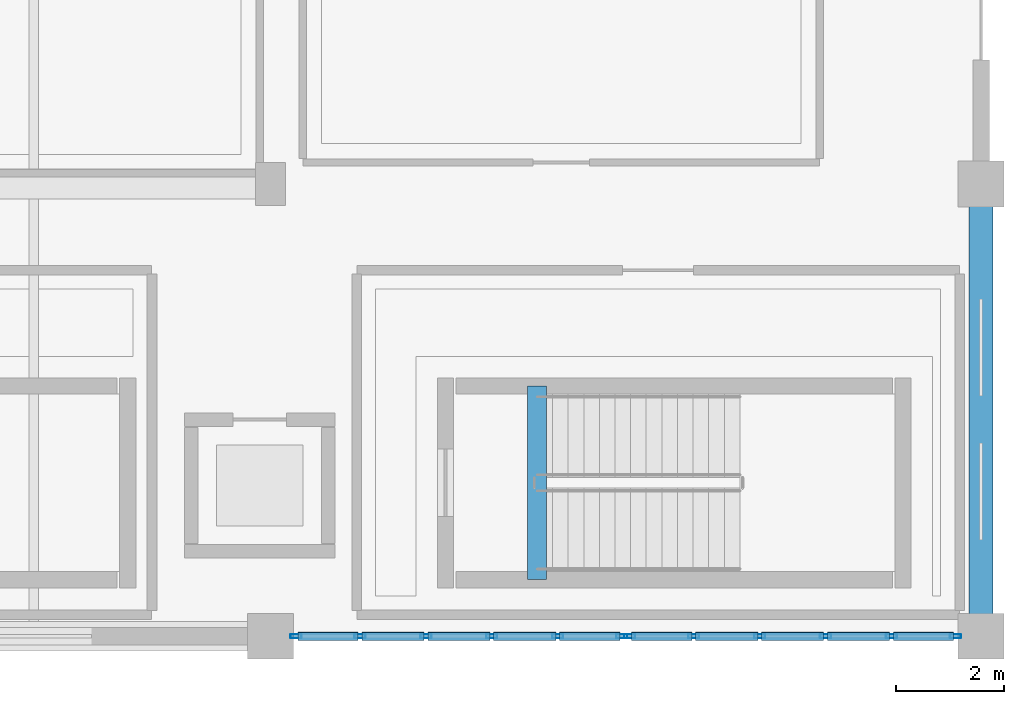
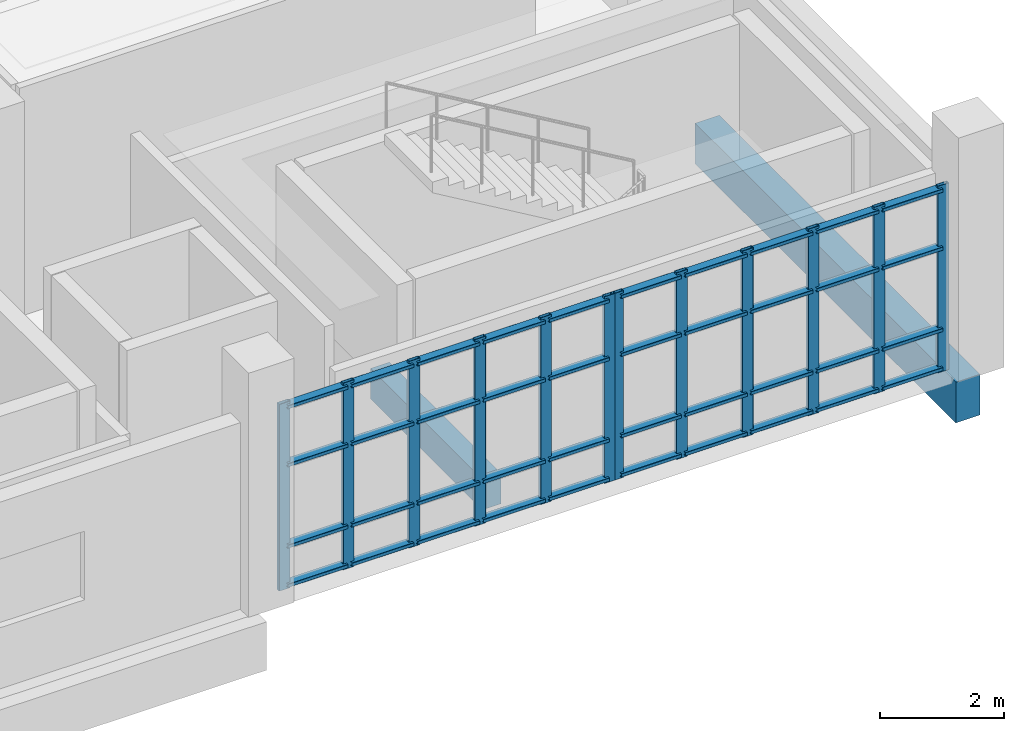
# One storey, part 40 of 97: 52 members, 2 beams, 2 elements without a shape of their own.
"""IFC4 building model written with IfcOpenShell, lengths in metres."""

from ifc_helpers import new_model, si_unit, direction, frame, origin, origin_2d, place, context, subcontext, project, spatial, rectangle, hollow_rectangle, extrude, material, layer, layer_set, material_profile, profile_set, type_object, element, aggregate, save


model = new_model("IFC4")

# Units and contexts
model_context = context("Model", 3, precision=1e-05, world=origin(), true_north=direction((0.0, 1.0)))
body_context = subcontext(model_context, "Body", "Model", "MODEL_VIEW")
ifc_project = project(units=[si_unit("LENGTHUNIT", "METRE"), si_unit("AREAUNIT", "SQUARE_METRE"), si_unit("VOLUMEUNIT", "CUBIC_METRE"), si_unit("PLANEANGLEUNIT", "RADIAN"), si_unit("MASSUNIT", "GRAM", prefix="KILO")], contexts=[model_context])

# Site, building, storey
site_placement = place(None, origin())
site = spatial("IfcSite", under=ifc_project, at=site_placement, CompositionType="ELEMENT")
building_placement = place(site_placement, origin())
building = spatial("IfcBuilding", under=site, at=building_placement, Name="Kisaragi Civic Commons", CompositionType="ELEMENT")
storey_placement = place(building_placement, origin())
storey = spatial("IfcBuildingStorey", under=building, at=storey_placement, Name="L00", CompositionType="ELEMENT", Elevation=0.0)

# Curtain wall, members
ifc_material_1 = material(Name="Thermally broken anodized aluminium and low-E double glazing", Category="aluminium")
ifc_layer = layer(ifc_material_1, 0.2099609375, Name="Thermally broken anodized aluminium and low-E double glazing", Category="aluminium")
ifc_layer_set = layer_set([ifc_layer], Name="Thermally broken anodized aluminium and low-E double glazing")
curtain_wall_type = type_object("IfcCurtainWallType", Name="CW-02", PredefinedType="NOTDEFINED", material=ifc_layer_set)
curtain_wall_1_placement = place(storey_placement, origin())
curtain_wall_1 = element("IfcCurtainWall", 1, at=curtain_wall_1_placement, inside=storey, type_object=curtain_wall_type, Name="L00 curtain wall CW-02 CW-V3-L00-011", PredefinedType="NOTDEFINED")
ifc_material_profile_1 = material_profile(ifc_material_1, hollow_rectangle(XDim=0.070068359375, YDim=0.2099609375, WallThickness=0.0048828125, InnerFilletRadius=0.0048828125, OuterFilletRadius=0.010009765625, at=origin_2d()), Name="CWM-70x210x5", Category="aluminium")
ifc_profile_set_1 = profile_set([ifc_material_profile_1], Name="Thermally broken anodized aluminium and low-E double glazing")
member_type_1 = type_object("IfcMemberType", Name="CWM-03", PredefinedType="MULLION", material=ifc_profile_set_1)
member_1_placement = place(storey_placement, frame((172.324951171875, 0.0, 0.0), z_axis=(0.0, 0.0, 1.0), x_axis=(0.0, -1.0, 0.0)))
member_1 = element("IfcMember", 2, at=member_1_placement, type_object=member_type_1, Name="CW-02 mullion 1", PredefinedType="MULLION", context=body_context, shape_type="SweptSolid", body=[
    extrude(hollow_rectangle(XDim=0.070068359375, YDim=0.2099609375, WallThickness=0.0048828125, InnerFilletRadius=0.0048828125, OuterFilletRadius=0.010009765625, at=origin_2d()), origin(), (0.0, 0.0, 1.0), 3.669921875),
])
member_2_placement = place(storey_placement, frame((171.135986328125, 0.0, 0.0), z_axis=(0.0, 0.0, 1.0), x_axis=(0.0, -1.0, 0.0)))
member_2 = element("IfcMember", 3, at=member_2_placement, type_object=member_type_1, Name="CW-02 mullion 2", PredefinedType="MULLION", context=body_context, shape_type="SweptSolid", body=[
    extrude(hollow_rectangle(XDim=0.070068359375, YDim=0.2099609375, WallThickness=0.0048828125, InnerFilletRadius=0.0048828125, OuterFilletRadius=0.010009765625, at=origin_2d()), origin(), (0.0, 0.0, 1.0), 3.669921875),
])
member_3_placement = place(storey_placement, frame((169.912109375, 0.0, 0.0), z_axis=(0.0, 0.0, 1.0), x_axis=(0.0, -1.0, 0.0)))
member_3 = element("IfcMember", 4, at=member_3_placement, type_object=member_type_1, Name="CW-02 mullion 3", PredefinedType="MULLION", context=body_context, shape_type="SweptSolid", body=[
    extrude(hollow_rectangle(XDim=0.070068359375, YDim=0.2099609375, WallThickness=0.0048828125, InnerFilletRadius=0.0048828125, OuterFilletRadius=0.010009765625, at=origin_2d()), origin(), (0.0, 0.0, 1.0), 3.669921875),
])
member_4_placement = place(storey_placement, frame((168.68798828125, 0.0, 0.0), z_axis=(0.0, 0.0, 1.0), x_axis=(0.0, -1.0, 0.0)))
member_4 = element("IfcMember", 5, at=member_4_placement, type_object=member_type_1, Name="CW-02 mullion 4", PredefinedType="MULLION", context=body_context, shape_type="SweptSolid", body=[
    extrude(hollow_rectangle(XDim=0.070068359375, YDim=0.2099609375, WallThickness=0.0048828125, InnerFilletRadius=0.0048828125, OuterFilletRadius=0.010009765625, at=origin_2d()), origin(), (0.0, 0.0, 1.0), 3.669921875),
])
member_5_placement = place(storey_placement, frame((167.464111328125, 0.0, 0.0), z_axis=(0.0, 0.0, 1.0), x_axis=(0.0, -1.0, 0.0)))
member_5 = element("IfcMember", 6, at=member_5_placement, type_object=member_type_1, Name="CW-02 mullion 5", PredefinedType="MULLION", context=body_context, shape_type="SweptSolid", body=[
    extrude(hollow_rectangle(XDim=0.070068359375, YDim=0.2099609375, WallThickness=0.0048828125, InnerFilletRadius=0.0048828125, OuterFilletRadius=0.010009765625, at=origin_2d()), origin(), (0.0, 0.0, 1.0), 3.669921875),
])
member_6_placement = place(storey_placement, frame((166.27490234375, 0.0, 0.0), z_axis=(0.0, 0.0, 1.0), x_axis=(0.0, -1.0, 0.0)))
member_6 = element("IfcMember", 7, at=member_6_placement, type_object=member_type_1, Name="CW-02 mullion 6", PredefinedType="MULLION", context=body_context, shape_type="SweptSolid", body=[
    extrude(hollow_rectangle(XDim=0.070068359375, YDim=0.2099609375, WallThickness=0.0048828125, InnerFilletRadius=0.0048828125, OuterFilletRadius=0.010009765625, at=origin_2d()), origin(), (0.0, 0.0, 1.0), 3.669921875),
])

curtain_wall_2_placement = place(storey_placement, origin())
curtain_wall_2 = element("IfcCurtainWall", 8, at=curtain_wall_2_placement, inside=storey, type_object=curtain_wall_type, Name="L00 curtain wall CW-02 CW-V3-L00-012", PredefinedType="NOTDEFINED")
member_7_placement = place(storey_placement, frame((166.125, 0.0, 0.0), z_axis=(0.0, 0.0, 1.0), x_axis=(0.0, -1.0, 0.0)))
member_7 = element("IfcMember", 9, at=member_7_placement, type_object=member_type_1, Name="CW-02 mullion 1", PredefinedType="MULLION", context=body_context, shape_type="SweptSolid", body=[
    extrude(hollow_rectangle(XDim=0.070068359375, YDim=0.2099609375, WallThickness=0.0048828125, InnerFilletRadius=0.0048828125, OuterFilletRadius=0.010009765625, at=origin_2d()), origin(), (0.0, 0.0, 1.0), 3.669921875),
])
member_8_placement = place(storey_placement, frame((164.93603515625, 0.0, 0.0), z_axis=(0.0, 0.0, 1.0), x_axis=(0.0, -1.0, 0.0)))
member_8 = element("IfcMember", 10, at=member_8_placement, type_object=member_type_1, Name="CW-02 mullion 2", PredefinedType="MULLION", context=body_context, shape_type="SweptSolid", body=[
    extrude(hollow_rectangle(XDim=0.070068359375, YDim=0.2099609375, WallThickness=0.0048828125, InnerFilletRadius=0.0048828125, OuterFilletRadius=0.010009765625, at=origin_2d()), origin(), (0.0, 0.0, 1.0), 3.669921875),
])
member_9_placement = place(storey_placement, frame((163.7119140625, 0.0, 0.0), z_axis=(0.0, 0.0, 1.0), x_axis=(0.0, -1.0, 0.0)))
member_9 = element("IfcMember", 11, at=member_9_placement, type_object=member_type_1, Name="CW-02 mullion 3", PredefinedType="MULLION", context=body_context, shape_type="SweptSolid", body=[
    extrude(hollow_rectangle(XDim=0.070068359375, YDim=0.2099609375, WallThickness=0.0048828125, InnerFilletRadius=0.0048828125, OuterFilletRadius=0.010009765625, at=origin_2d()), origin(), (0.0, 0.0, 1.0), 3.669921875),
])
member_10_placement = place(storey_placement, frame((162.488037109375, 0.0, 0.0), z_axis=(0.0, 0.0, 1.0), x_axis=(0.0, -1.0, 0.0)))
member_10 = element("IfcMember", 12, at=member_10_placement, type_object=member_type_1, Name="CW-02 mullion 4", PredefinedType="MULLION", context=body_context, shape_type="SweptSolid", body=[
    extrude(hollow_rectangle(XDim=0.070068359375, YDim=0.2099609375, WallThickness=0.0048828125, InnerFilletRadius=0.0048828125, OuterFilletRadius=0.010009765625, at=origin_2d()), origin(), (0.0, 0.0, 1.0), 3.669921875),
])
member_11_placement = place(storey_placement, frame((161.263916015625, 0.0, 0.0), z_axis=(0.0, 0.0, 1.0), x_axis=(0.0, -1.0, 0.0)))
member_11 = element("IfcMember", 13, at=member_11_placement, type_object=member_type_1, Name="CW-02 mullion 5", PredefinedType="MULLION", context=body_context, shape_type="SweptSolid", body=[
    extrude(hollow_rectangle(XDim=0.070068359375, YDim=0.2099609375, WallThickness=0.0048828125, InnerFilletRadius=0.0048828125, OuterFilletRadius=0.010009765625, at=origin_2d()), origin(), (0.0, 0.0, 1.0), 3.669921875),
])
member_12_placement = place(storey_placement, frame((160.074951171875, 0.0, 0.0), z_axis=(0.0, 0.0, 1.0), x_axis=(0.0, -1.0, 0.0)))
member_12 = element("IfcMember", 14, at=member_12_placement, type_object=member_type_1, Name="CW-02 mullion 6", PredefinedType="MULLION", context=body_context, shape_type="SweptSolid", body=[
    extrude(hollow_rectangle(XDim=0.070068359375, YDim=0.2099609375, WallThickness=0.0048828125, InnerFilletRadius=0.0048828125, OuterFilletRadius=0.010009765625, at=origin_2d()), origin(), (0.0, 0.0, 1.0), 3.669921875),
])

# Member
ifc_material_profile_2 = material_profile(ifc_material_1, hollow_rectangle(XDim=0.159912109375, YDim=0.070068359375, WallThickness=0.0048828125, InnerFilletRadius=0.0048828125, OuterFilletRadius=0.010009765625, at=origin_2d()), Name="CWT-70x160x5", Category="aluminium")
ifc_profile_set_2 = profile_set([ifc_material_profile_2], Name="Thermally broken anodized aluminium and low-E double glazing")
member_type_2 = type_object("IfcMemberType", Name="CWT-03", PredefinedType="USERDEFINED", material=ifc_profile_set_2)
member_13_placement = place(storey_placement, frame((172.2900390625, 0.0, 0.080078125), z_axis=(-1.0, 0.0, 0.0), x_axis=(0.0, -1.0, 0.0)))
member_13 = element("IfcMember", 15, at=member_13_placement, type_object=member_type_2, Name="CW-02 transom 1.1", ObjectType="TRANSOM", PredefinedType="USERDEFINED", context=body_context, shape_type="SweptSolid", body=[
    extrude(hollow_rectangle(XDim=0.159912109375, YDim=0.070068359375, WallThickness=0.0048828125, InnerFilletRadius=0.0048828125, OuterFilletRadius=0.010009765625, at=origin_2d()), origin(), (0.0, 0.0, 1.0), 1.119140625),
])

member_14_placement = place(storey_placement, frame((172.2900390625, 0.0, 0.85009765625), z_axis=(-1.0, 0.0, 0.0), x_axis=(0.0, -1.0, 0.0)))
member_14 = element("IfcMember", 16, at=member_14_placement, type_object=member_type_2, Name="CW-02 transom 1.2", ObjectType="TRANSOM", PredefinedType="USERDEFINED", context=body_context, shape_type="SweptSolid", body=[
    extrude(hollow_rectangle(XDim=0.159912109375, YDim=0.070068359375, WallThickness=0.0048828125, InnerFilletRadius=0.0048828125, OuterFilletRadius=0.010009765625, at=origin_2d()), origin(), (0.0, 0.0, 1.0), 1.119140625),
])

member_15_placement = place(storey_placement, frame((172.2900390625, 0.0, 2.449951171875), z_axis=(-1.0, 0.0, 0.0), x_axis=(0.0, -1.0, 0.0)))
member_15 = element("IfcMember", 17, at=member_15_placement, type_object=member_type_2, Name="CW-02 transom 1.3", ObjectType="TRANSOM", PredefinedType="USERDEFINED", context=body_context, shape_type="SweptSolid", body=[
    extrude(hollow_rectangle(XDim=0.159912109375, YDim=0.070068359375, WallThickness=0.0048828125, InnerFilletRadius=0.0048828125, OuterFilletRadius=0.010009765625, at=origin_2d()), origin(), (0.0, 0.0, 1.0), 1.119140625),
])

member_16_placement = place(storey_placement, frame((172.2900390625, 0.0, 3.590087890625), z_axis=(-1.0, 0.0, 0.0), x_axis=(0.0, -1.0, 0.0)))
member_16 = element("IfcMember", 18, at=member_16_placement, type_object=member_type_2, Name="CW-02 transom 1.4", ObjectType="TRANSOM", PredefinedType="USERDEFINED", context=body_context, shape_type="SweptSolid", body=[
    extrude(hollow_rectangle(XDim=0.159912109375, YDim=0.070068359375, WallThickness=0.0048828125, InnerFilletRadius=0.0048828125, OuterFilletRadius=0.010009765625, at=origin_2d()), origin(), (0.0, 0.0, 1.0), 1.119140625),
])

member_17_placement = place(storey_placement, frame((171.10107421875, 0.0, 0.080078125), z_axis=(-1.0, 0.0, 0.0), x_axis=(0.0, -1.0, 0.0)))
member_17 = element("IfcMember", 19, at=member_17_placement, type_object=member_type_2, Name="CW-02 transom 2.1", ObjectType="TRANSOM", PredefinedType="USERDEFINED", context=body_context, shape_type="SweptSolid", body=[
    extrude(hollow_rectangle(XDim=0.159912109375, YDim=0.070068359375, WallThickness=0.0048828125, InnerFilletRadius=0.0048828125, OuterFilletRadius=0.010009765625, at=origin_2d()), origin(), (0.0, 0.0, 1.0), 1.154052734375),
])

member_18_placement = place(storey_placement, frame((171.10107421875, 0.0, 0.85009765625), z_axis=(-1.0, 0.0, 0.0), x_axis=(0.0, -1.0, 0.0)))
member_18 = element("IfcMember", 20, at=member_18_placement, type_object=member_type_2, Name="CW-02 transom 2.2", ObjectType="TRANSOM", PredefinedType="USERDEFINED", context=body_context, shape_type="SweptSolid", body=[
    extrude(hollow_rectangle(XDim=0.159912109375, YDim=0.070068359375, WallThickness=0.0048828125, InnerFilletRadius=0.0048828125, OuterFilletRadius=0.010009765625, at=origin_2d()), origin(), (0.0, 0.0, 1.0), 1.154052734375),
])

member_19_placement = place(storey_placement, frame((171.10107421875, 0.0, 2.449951171875), z_axis=(-1.0, 0.0, 0.0), x_axis=(0.0, -1.0, 0.0)))
member_19 = element("IfcMember", 21, at=member_19_placement, type_object=member_type_2, Name="CW-02 transom 2.3", ObjectType="TRANSOM", PredefinedType="USERDEFINED", context=body_context, shape_type="SweptSolid", body=[
    extrude(hollow_rectangle(XDim=0.159912109375, YDim=0.070068359375, WallThickness=0.0048828125, InnerFilletRadius=0.0048828125, OuterFilletRadius=0.010009765625, at=origin_2d()), origin(), (0.0, 0.0, 1.0), 1.154052734375),
])

member_20_placement = place(storey_placement, frame((171.10107421875, 0.0, 3.590087890625), z_axis=(-1.0, 0.0, 0.0), x_axis=(0.0, -1.0, 0.0)))
member_20 = element("IfcMember", 22, at=member_20_placement, type_object=member_type_2, Name="CW-02 transom 2.4", ObjectType="TRANSOM", PredefinedType="USERDEFINED", context=body_context, shape_type="SweptSolid", body=[
    extrude(hollow_rectangle(XDim=0.159912109375, YDim=0.070068359375, WallThickness=0.0048828125, InnerFilletRadius=0.0048828125, OuterFilletRadius=0.010009765625, at=origin_2d()), origin(), (0.0, 0.0, 1.0), 1.154052734375),
])

member_21_placement = place(storey_placement, frame((169.876953125, 0.0, 0.080078125), z_axis=(-1.0, 0.0, 0.0), x_axis=(0.0, -1.0, 0.0)))
member_21 = element("IfcMember", 23, at=member_21_placement, type_object=member_type_2, Name="CW-02 transom 3.1", ObjectType="TRANSOM", PredefinedType="USERDEFINED", context=body_context, shape_type="SweptSolid", body=[
    extrude(hollow_rectangle(XDim=0.159912109375, YDim=0.070068359375, WallThickness=0.0048828125, InnerFilletRadius=0.0048828125, OuterFilletRadius=0.010009765625, at=origin_2d()), origin(), (0.0, 0.0, 1.0), 1.154052734375),
])

member_22_placement = place(storey_placement, frame((169.876953125, 0.0, 0.85009765625), z_axis=(-1.0, 0.0, 0.0), x_axis=(0.0, -1.0, 0.0)))
member_22 = element("IfcMember", 24, at=member_22_placement, type_object=member_type_2, Name="CW-02 transom 3.2", ObjectType="TRANSOM", PredefinedType="USERDEFINED", context=body_context, shape_type="SweptSolid", body=[
    extrude(hollow_rectangle(XDim=0.159912109375, YDim=0.070068359375, WallThickness=0.0048828125, InnerFilletRadius=0.0048828125, OuterFilletRadius=0.010009765625, at=origin_2d()), origin(), (0.0, 0.0, 1.0), 1.154052734375),
])

member_23_placement = place(storey_placement, frame((169.876953125, 0.0, 2.449951171875), z_axis=(-1.0, 0.0, 0.0), x_axis=(0.0, -1.0, 0.0)))
member_23 = element("IfcMember", 25, at=member_23_placement, type_object=member_type_2, Name="CW-02 transom 3.3", ObjectType="TRANSOM", PredefinedType="USERDEFINED", context=body_context, shape_type="SweptSolid", body=[
    extrude(hollow_rectangle(XDim=0.159912109375, YDim=0.070068359375, WallThickness=0.0048828125, InnerFilletRadius=0.0048828125, OuterFilletRadius=0.010009765625, at=origin_2d()), origin(), (0.0, 0.0, 1.0), 1.154052734375),
])

member_24_placement = place(storey_placement, frame((169.876953125, 0.0, 3.590087890625), z_axis=(-1.0, 0.0, 0.0), x_axis=(0.0, -1.0, 0.0)))
member_24 = element("IfcMember", 26, at=member_24_placement, type_object=member_type_2, Name="CW-02 transom 3.4", ObjectType="TRANSOM", PredefinedType="USERDEFINED", context=body_context, shape_type="SweptSolid", body=[
    extrude(hollow_rectangle(XDim=0.159912109375, YDim=0.070068359375, WallThickness=0.0048828125, InnerFilletRadius=0.0048828125, OuterFilletRadius=0.010009765625, at=origin_2d()), origin(), (0.0, 0.0, 1.0), 1.154052734375),
])

member_25_placement = place(storey_placement, frame((168.653076171875, 0.0, 0.080078125), z_axis=(-1.0, 0.0, 0.0), x_axis=(0.0, -1.0, 0.0)))
member_25 = element("IfcMember", 27, at=member_25_placement, type_object=member_type_2, Name="CW-02 transom 4.1", ObjectType="TRANSOM", PredefinedType="USERDEFINED", context=body_context, shape_type="SweptSolid", body=[
    extrude(hollow_rectangle(XDim=0.159912109375, YDim=0.070068359375, WallThickness=0.0048828125, InnerFilletRadius=0.0048828125, OuterFilletRadius=0.010009765625, at=origin_2d()), origin(), (0.0, 0.0, 1.0), 1.154052734375),
])

member_26_placement = place(storey_placement, frame((168.653076171875, 0.0, 0.85009765625), z_axis=(-1.0, 0.0, 0.0), x_axis=(0.0, -1.0, 0.0)))
member_26 = element("IfcMember", 28, at=member_26_placement, type_object=member_type_2, Name="CW-02 transom 4.2", ObjectType="TRANSOM", PredefinedType="USERDEFINED", context=body_context, shape_type="SweptSolid", body=[
    extrude(hollow_rectangle(XDim=0.159912109375, YDim=0.070068359375, WallThickness=0.0048828125, InnerFilletRadius=0.0048828125, OuterFilletRadius=0.010009765625, at=origin_2d()), origin(), (0.0, 0.0, 1.0), 1.154052734375),
])

member_27_placement = place(storey_placement, frame((168.653076171875, 0.0, 2.449951171875), z_axis=(-1.0, 0.0, 0.0), x_axis=(0.0, -1.0, 0.0)))
member_27 = element("IfcMember", 29, at=member_27_placement, type_object=member_type_2, Name="CW-02 transom 4.3", ObjectType="TRANSOM", PredefinedType="USERDEFINED", context=body_context, shape_type="SweptSolid", body=[
    extrude(hollow_rectangle(XDim=0.159912109375, YDim=0.070068359375, WallThickness=0.0048828125, InnerFilletRadius=0.0048828125, OuterFilletRadius=0.010009765625, at=origin_2d()), origin(), (0.0, 0.0, 1.0), 1.154052734375),
])

member_28_placement = place(storey_placement, frame((168.653076171875, 0.0, 3.590087890625), z_axis=(-1.0, 0.0, 0.0), x_axis=(0.0, -1.0, 0.0)))
member_28 = element("IfcMember", 30, at=member_28_placement, type_object=member_type_2, Name="CW-02 transom 4.4", ObjectType="TRANSOM", PredefinedType="USERDEFINED", context=body_context, shape_type="SweptSolid", body=[
    extrude(hollow_rectangle(XDim=0.159912109375, YDim=0.070068359375, WallThickness=0.0048828125, InnerFilletRadius=0.0048828125, OuterFilletRadius=0.010009765625, at=origin_2d()), origin(), (0.0, 0.0, 1.0), 1.154052734375),
])

member_29_placement = place(storey_placement, frame((167.428955078125, 0.0, 0.080078125), z_axis=(-1.0, 0.0, 0.0), x_axis=(0.0, -1.0, 0.0)))
member_29 = element("IfcMember", 31, at=member_29_placement, type_object=member_type_2, Name="CW-02 transom 5.1", ObjectType="TRANSOM", PredefinedType="USERDEFINED", context=body_context, shape_type="SweptSolid", body=[
    extrude(hollow_rectangle(XDim=0.159912109375, YDim=0.070068359375, WallThickness=0.0048828125, InnerFilletRadius=0.0048828125, OuterFilletRadius=0.010009765625, at=origin_2d()), origin(), (0.0, 0.0, 1.0), 1.118896484375),
])

member_30_placement = place(storey_placement, frame((167.428955078125, 0.0, 0.85009765625), z_axis=(-1.0, 0.0, 0.0), x_axis=(0.0, -1.0, 0.0)))
member_30 = element("IfcMember", 32, at=member_30_placement, type_object=member_type_2, Name="CW-02 transom 5.2", ObjectType="TRANSOM", PredefinedType="USERDEFINED", context=body_context, shape_type="SweptSolid", body=[
    extrude(hollow_rectangle(XDim=0.159912109375, YDim=0.070068359375, WallThickness=0.0048828125, InnerFilletRadius=0.0048828125, OuterFilletRadius=0.010009765625, at=origin_2d()), origin(), (0.0, 0.0, 1.0), 1.118896484375),
])

member_31_placement = place(storey_placement, frame((167.428955078125, 0.0, 2.449951171875), z_axis=(-1.0, 0.0, 0.0), x_axis=(0.0, -1.0, 0.0)))
member_31 = element("IfcMember", 33, at=member_31_placement, type_object=member_type_2, Name="CW-02 transom 5.3", ObjectType="TRANSOM", PredefinedType="USERDEFINED", context=body_context, shape_type="SweptSolid", body=[
    extrude(hollow_rectangle(XDim=0.159912109375, YDim=0.070068359375, WallThickness=0.0048828125, InnerFilletRadius=0.0048828125, OuterFilletRadius=0.010009765625, at=origin_2d()), origin(), (0.0, 0.0, 1.0), 1.118896484375),
])

member_32_placement = place(storey_placement, frame((167.428955078125, 0.0, 3.590087890625), z_axis=(-1.0, 0.0, 0.0), x_axis=(0.0, -1.0, 0.0)))
member_32 = element("IfcMember", 34, at=member_32_placement, type_object=member_type_2, Name="CW-02 transom 5.4", ObjectType="TRANSOM", PredefinedType="USERDEFINED", context=body_context, shape_type="SweptSolid", body=[
    extrude(hollow_rectangle(XDim=0.159912109375, YDim=0.070068359375, WallThickness=0.0048828125, InnerFilletRadius=0.0048828125, OuterFilletRadius=0.010009765625, at=origin_2d()), origin(), (0.0, 0.0, 1.0), 1.118896484375),
])

aggregate(curtain_wall_1, [member_1, member_2, member_3, member_4, member_5, member_6, member_13, member_14, member_15, member_16, member_17, member_18, member_19, member_20, member_21, member_22, member_23, member_24, member_25, member_26, member_27, member_28, member_29, member_30, member_31, member_32])

member_33_placement = place(storey_placement, frame((166.090087890625, 0.0, 0.080078125), z_axis=(-1.0, 0.0, 0.0), x_axis=(0.0, -1.0, 0.0)))
member_33 = element("IfcMember", 35, at=member_33_placement, type_object=member_type_2, Name="CW-02 transom 1.1", ObjectType="TRANSOM", PredefinedType="USERDEFINED", context=body_context, shape_type="SweptSolid", body=[
    extrude(hollow_rectangle(XDim=0.159912109375, YDim=0.070068359375, WallThickness=0.0048828125, InnerFilletRadius=0.0048828125, OuterFilletRadius=0.010009765625, at=origin_2d()), origin(), (0.0, 0.0, 1.0), 1.119140625),
])

member_34_placement = place(storey_placement, frame((166.090087890625, 0.0, 0.85009765625), z_axis=(-1.0, 0.0, 0.0), x_axis=(0.0, -1.0, 0.0)))
member_34 = element("IfcMember", 36, at=member_34_placement, type_object=member_type_2, Name="CW-02 transom 1.2", ObjectType="TRANSOM", PredefinedType="USERDEFINED", context=body_context, shape_type="SweptSolid", body=[
    extrude(hollow_rectangle(XDim=0.159912109375, YDim=0.070068359375, WallThickness=0.0048828125, InnerFilletRadius=0.0048828125, OuterFilletRadius=0.010009765625, at=origin_2d()), origin(), (0.0, 0.0, 1.0), 1.119140625),
])

member_35_placement = place(storey_placement, frame((166.090087890625, 0.0, 2.449951171875), z_axis=(-1.0, 0.0, 0.0), x_axis=(0.0, -1.0, 0.0)))
member_35 = element("IfcMember", 37, at=member_35_placement, type_object=member_type_2, Name="CW-02 transom 1.3", ObjectType="TRANSOM", PredefinedType="USERDEFINED", context=body_context, shape_type="SweptSolid", body=[
    extrude(hollow_rectangle(XDim=0.159912109375, YDim=0.070068359375, WallThickness=0.0048828125, InnerFilletRadius=0.0048828125, OuterFilletRadius=0.010009765625, at=origin_2d()), origin(), (0.0, 0.0, 1.0), 1.119140625),
])

member_36_placement = place(storey_placement, frame((166.090087890625, 0.0, 3.590087890625), z_axis=(-1.0, 0.0, 0.0), x_axis=(0.0, -1.0, 0.0)))
member_36 = element("IfcMember", 38, at=member_36_placement, type_object=member_type_2, Name="CW-02 transom 1.4", ObjectType="TRANSOM", PredefinedType="USERDEFINED", context=body_context, shape_type="SweptSolid", body=[
    extrude(hollow_rectangle(XDim=0.159912109375, YDim=0.070068359375, WallThickness=0.0048828125, InnerFilletRadius=0.0048828125, OuterFilletRadius=0.010009765625, at=origin_2d()), origin(), (0.0, 0.0, 1.0), 1.119140625),
])

member_37_placement = place(storey_placement, frame((164.90087890625, 0.0, 0.080078125), z_axis=(-1.0, 0.0, 0.0), x_axis=(0.0, -1.0, 0.0)))
member_37 = element("IfcMember", 39, at=member_37_placement, type_object=member_type_2, Name="CW-02 transom 2.1", ObjectType="TRANSOM", PredefinedType="USERDEFINED", context=body_context, shape_type="SweptSolid", body=[
    extrude(hollow_rectangle(XDim=0.159912109375, YDim=0.070068359375, WallThickness=0.0048828125, InnerFilletRadius=0.0048828125, OuterFilletRadius=0.010009765625, at=origin_2d()), origin(), (0.0, 0.0, 1.0), 1.15380859375),
])

member_38_placement = place(storey_placement, frame((164.90087890625, 0.0, 0.85009765625), z_axis=(-1.0, 0.0, 0.0), x_axis=(0.0, -1.0, 0.0)))
member_38 = element("IfcMember", 40, at=member_38_placement, type_object=member_type_2, Name="CW-02 transom 2.2", ObjectType="TRANSOM", PredefinedType="USERDEFINED", context=body_context, shape_type="SweptSolid", body=[
    extrude(hollow_rectangle(XDim=0.159912109375, YDim=0.070068359375, WallThickness=0.0048828125, InnerFilletRadius=0.0048828125, OuterFilletRadius=0.010009765625, at=origin_2d()), origin(), (0.0, 0.0, 1.0), 1.15380859375),
])

member_39_placement = place(storey_placement, frame((164.90087890625, 0.0, 2.449951171875), z_axis=(-1.0, 0.0, 0.0), x_axis=(0.0, -1.0, 0.0)))
member_39 = element("IfcMember", 41, at=member_39_placement, type_object=member_type_2, Name="CW-02 transom 2.3", ObjectType="TRANSOM", PredefinedType="USERDEFINED", context=body_context, shape_type="SweptSolid", body=[
    extrude(hollow_rectangle(XDim=0.159912109375, YDim=0.070068359375, WallThickness=0.0048828125, InnerFilletRadius=0.0048828125, OuterFilletRadius=0.010009765625, at=origin_2d()), origin(), (0.0, 0.0, 1.0), 1.15380859375),
])

member_40_placement = place(storey_placement, frame((164.90087890625, 0.0, 3.590087890625), z_axis=(-1.0, 0.0, 0.0), x_axis=(0.0, -1.0, 0.0)))
member_40 = element("IfcMember", 42, at=member_40_placement, type_object=member_type_2, Name="CW-02 transom 2.4", ObjectType="TRANSOM", PredefinedType="USERDEFINED", context=body_context, shape_type="SweptSolid", body=[
    extrude(hollow_rectangle(XDim=0.159912109375, YDim=0.070068359375, WallThickness=0.0048828125, InnerFilletRadius=0.0048828125, OuterFilletRadius=0.010009765625, at=origin_2d()), origin(), (0.0, 0.0, 1.0), 1.15380859375),
])

member_41_placement = place(storey_placement, frame((163.677001953125, 0.0, 0.080078125), z_axis=(-1.0, 0.0, 0.0), x_axis=(0.0, -1.0, 0.0)))
member_41 = element("IfcMember", 43, at=member_41_placement, type_object=member_type_2, Name="CW-02 transom 3.1", ObjectType="TRANSOM", PredefinedType="USERDEFINED", context=body_context, shape_type="SweptSolid", body=[
    extrude(hollow_rectangle(XDim=0.159912109375, YDim=0.070068359375, WallThickness=0.0048828125, InnerFilletRadius=0.0048828125, OuterFilletRadius=0.010009765625, at=origin_2d()), origin(), (0.0, 0.0, 1.0), 1.154052734375),
])

member_42_placement = place(storey_placement, frame((163.677001953125, 0.0, 0.85009765625), z_axis=(-1.0, 0.0, 0.0), x_axis=(0.0, -1.0, 0.0)))
member_42 = element("IfcMember", 44, at=member_42_placement, type_object=member_type_2, Name="CW-02 transom 3.2", ObjectType="TRANSOM", PredefinedType="USERDEFINED", context=body_context, shape_type="SweptSolid", body=[
    extrude(hollow_rectangle(XDim=0.159912109375, YDim=0.070068359375, WallThickness=0.0048828125, InnerFilletRadius=0.0048828125, OuterFilletRadius=0.010009765625, at=origin_2d()), origin(), (0.0, 0.0, 1.0), 1.154052734375),
])

member_43_placement = place(storey_placement, frame((163.677001953125, 0.0, 2.449951171875), z_axis=(-1.0, 0.0, 0.0), x_axis=(0.0, -1.0, 0.0)))
member_43 = element("IfcMember", 45, at=member_43_placement, type_object=member_type_2, Name="CW-02 transom 3.3", ObjectType="TRANSOM", PredefinedType="USERDEFINED", context=body_context, shape_type="SweptSolid", body=[
    extrude(hollow_rectangle(XDim=0.159912109375, YDim=0.070068359375, WallThickness=0.0048828125, InnerFilletRadius=0.0048828125, OuterFilletRadius=0.010009765625, at=origin_2d()), origin(), (0.0, 0.0, 1.0), 1.154052734375),
])

member_44_placement = place(storey_placement, frame((163.677001953125, 0.0, 3.590087890625), z_axis=(-1.0, 0.0, 0.0), x_axis=(0.0, -1.0, 0.0)))
member_44 = element("IfcMember", 46, at=member_44_placement, type_object=member_type_2, Name="CW-02 transom 3.4", ObjectType="TRANSOM", PredefinedType="USERDEFINED", context=body_context, shape_type="SweptSolid", body=[
    extrude(hollow_rectangle(XDim=0.159912109375, YDim=0.070068359375, WallThickness=0.0048828125, InnerFilletRadius=0.0048828125, OuterFilletRadius=0.010009765625, at=origin_2d()), origin(), (0.0, 0.0, 1.0), 1.154052734375),
])

member_45_placement = place(storey_placement, frame((162.452880859375, 0.0, 0.080078125), z_axis=(-1.0, 0.0, 0.0), x_axis=(0.0, -1.0, 0.0)))
member_45 = element("IfcMember", 47, at=member_45_placement, type_object=member_type_2, Name="CW-02 transom 4.1", ObjectType="TRANSOM", PredefinedType="USERDEFINED", context=body_context, shape_type="SweptSolid", body=[
    extrude(hollow_rectangle(XDim=0.159912109375, YDim=0.070068359375, WallThickness=0.0048828125, InnerFilletRadius=0.0048828125, OuterFilletRadius=0.010009765625, at=origin_2d()), origin(), (0.0, 0.0, 1.0), 1.15380859375),
])

member_46_placement = place(storey_placement, frame((162.452880859375, 0.0, 0.85009765625), z_axis=(-1.0, 0.0, 0.0), x_axis=(0.0, -1.0, 0.0)))
member_46 = element("IfcMember", 48, at=member_46_placement, type_object=member_type_2, Name="CW-02 transom 4.2", ObjectType="TRANSOM", PredefinedType="USERDEFINED", context=body_context, shape_type="SweptSolid", body=[
    extrude(hollow_rectangle(XDim=0.159912109375, YDim=0.070068359375, WallThickness=0.0048828125, InnerFilletRadius=0.0048828125, OuterFilletRadius=0.010009765625, at=origin_2d()), origin(), (0.0, 0.0, 1.0), 1.15380859375),
])

member_47_placement = place(storey_placement, frame((162.452880859375, 0.0, 2.449951171875), z_axis=(-1.0, 0.0, 0.0), x_axis=(0.0, -1.0, 0.0)))
member_47 = element("IfcMember", 49, at=member_47_placement, type_object=member_type_2, Name="CW-02 transom 4.3", ObjectType="TRANSOM", PredefinedType="USERDEFINED", context=body_context, shape_type="SweptSolid", body=[
    extrude(hollow_rectangle(XDim=0.159912109375, YDim=0.070068359375, WallThickness=0.0048828125, InnerFilletRadius=0.0048828125, OuterFilletRadius=0.010009765625, at=origin_2d()), origin(), (0.0, 0.0, 1.0), 1.15380859375),
])

member_48_placement = place(storey_placement, frame((162.452880859375, 0.0, 3.590087890625), z_axis=(-1.0, 0.0, 0.0), x_axis=(0.0, -1.0, 0.0)))
member_48 = element("IfcMember", 50, at=member_48_placement, type_object=member_type_2, Name="CW-02 transom 4.4", ObjectType="TRANSOM", PredefinedType="USERDEFINED", context=body_context, shape_type="SweptSolid", body=[
    extrude(hollow_rectangle(XDim=0.159912109375, YDim=0.070068359375, WallThickness=0.0048828125, InnerFilletRadius=0.0048828125, OuterFilletRadius=0.010009765625, at=origin_2d()), origin(), (0.0, 0.0, 1.0), 1.15380859375),
])

member_49_placement = place(storey_placement, frame((161.22900390625, 0.0, 0.080078125), z_axis=(-1.0, 0.0, 0.0), x_axis=(0.0, -1.0, 0.0)))
member_49 = element("IfcMember", 51, at=member_49_placement, type_object=member_type_2, Name="CW-02 transom 5.1", ObjectType="TRANSOM", PredefinedType="USERDEFINED", context=body_context, shape_type="SweptSolid", body=[
    extrude(hollow_rectangle(XDim=0.159912109375, YDim=0.070068359375, WallThickness=0.0048828125, InnerFilletRadius=0.0048828125, OuterFilletRadius=0.010009765625, at=origin_2d()), origin(), (0.0, 0.0, 1.0), 1.118896484375),
])

member_50_placement = place(storey_placement, frame((161.22900390625, 0.0, 0.85009765625), z_axis=(-1.0, 0.0, 0.0), x_axis=(0.0, -1.0, 0.0)))
member_50 = element("IfcMember", 52, at=member_50_placement, type_object=member_type_2, Name="CW-02 transom 5.2", ObjectType="TRANSOM", PredefinedType="USERDEFINED", context=body_context, shape_type="SweptSolid", body=[
    extrude(hollow_rectangle(XDim=0.159912109375, YDim=0.070068359375, WallThickness=0.0048828125, InnerFilletRadius=0.0048828125, OuterFilletRadius=0.010009765625, at=origin_2d()), origin(), (0.0, 0.0, 1.0), 1.118896484375),
])

member_51_placement = place(storey_placement, frame((161.22900390625, 0.0, 2.449951171875), z_axis=(-1.0, 0.0, 0.0), x_axis=(0.0, -1.0, 0.0)))
member_51 = element("IfcMember", 53, at=member_51_placement, type_object=member_type_2, Name="CW-02 transom 5.3", ObjectType="TRANSOM", PredefinedType="USERDEFINED", context=body_context, shape_type="SweptSolid", body=[
    extrude(hollow_rectangle(XDim=0.159912109375, YDim=0.070068359375, WallThickness=0.0048828125, InnerFilletRadius=0.0048828125, OuterFilletRadius=0.010009765625, at=origin_2d()), origin(), (0.0, 0.0, 1.0), 1.118896484375),
])

member_52_placement = place(storey_placement, frame((161.22900390625, 0.0, 3.590087890625), z_axis=(-1.0, 0.0, 0.0), x_axis=(0.0, -1.0, 0.0)))
member_52 = element("IfcMember", 54, at=member_52_placement, type_object=member_type_2, Name="CW-02 transom 5.4", ObjectType="TRANSOM", PredefinedType="USERDEFINED", context=body_context, shape_type="SweptSolid", body=[
    extrude(hollow_rectangle(XDim=0.159912109375, YDim=0.070068359375, WallThickness=0.0048828125, InnerFilletRadius=0.0048828125, OuterFilletRadius=0.010009765625, at=origin_2d()), origin(), (0.0, 0.0, 1.0), 1.118896484375),
])

aggregate(curtain_wall_2, [member_7, member_8, member_9, member_10, member_11, member_12, member_33, member_34, member_35, member_36, member_37, member_38, member_39, member_40, member_41, member_42, member_43, member_44, member_45, member_46, member_47, member_48, member_49, member_50, member_51, member_52])

# Beams
ifc_material_2 = material(Name="Concrete Fc30", Category="concrete")
ifc_material_profile_3 = material_profile(ifc_material_2, rectangle(XDim=0.35009765625, YDim=0.60009765625, at=origin_2d()), Name="RC-350x600", Category="concrete")
ifc_profile_set_3 = profile_set([ifc_material_profile_3], Name="Concrete Fc30")
beam_type_1 = type_object("IfcBeamType", Name="G-14", PredefinedType="BEAM", material=ifc_profile_set_3)
beam_1_placement = place(storey_placement, frame((164.550048828125, 1.050048828125, -0.300048828125), z_axis=(0.0, 1.0, 0.0), x_axis=(-1.0, 0.0, 0.0)))
element("IfcBeam", 55, at=beam_1_placement, inside=storey, type_object=beam_type_1, Name="ST-D2 L00 stair landing trimmer beam", PredefinedType="BEAM", context=body_context, shape_type="SweptSolid", body=[
    extrude(rectangle(XDim=0.35009765625, YDim=0.60009765625, at=origin_2d()), origin(), (0.0, 0.0, 1.0), 3.599853515625),
])
ifc_material_profile_4 = material_profile(ifc_material_2, rectangle(XDim=0.449951171875, YDim=0.800048828125, at=origin_2d()), Name="RC-450x800", Category="concrete")
ifc_profile_set_4 = profile_set([ifc_material_profile_4], Name="Concrete Fc30")
beam_type_2 = type_object("IfcBeamType", Name="SPB-01", PredefinedType="SPANDREL", material=ifc_profile_set_4)
beam_2_placement = place(storey_placement, frame((172.800048828125, 0.0, -0.72509765625), z_axis=(0.0, 1.0, 0.0), x_axis=(-1.0, 0.0, 0.0)))
element("IfcBeam", 56, at=beam_2_placement, inside=storey, type_object=beam_type_2, Name="L00 girder SPB-01 105", PredefinedType="SPANDREL", context=body_context, shape_type="SweptSolid", body=[
    extrude(rectangle(XDim=0.449951171875, YDim=0.800048828125, at=origin_2d()), origin(), (0.0, 0.0, 1.0), 8.39990234375),
])

save(model, "model.ifc")
